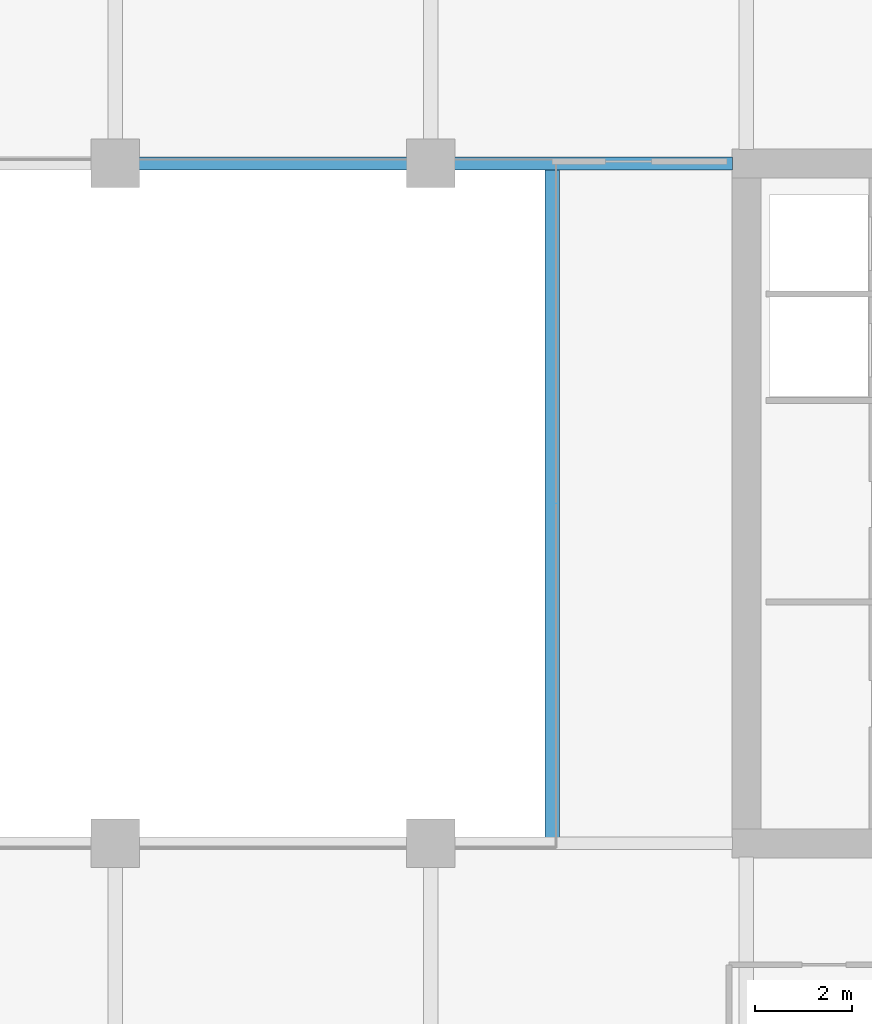
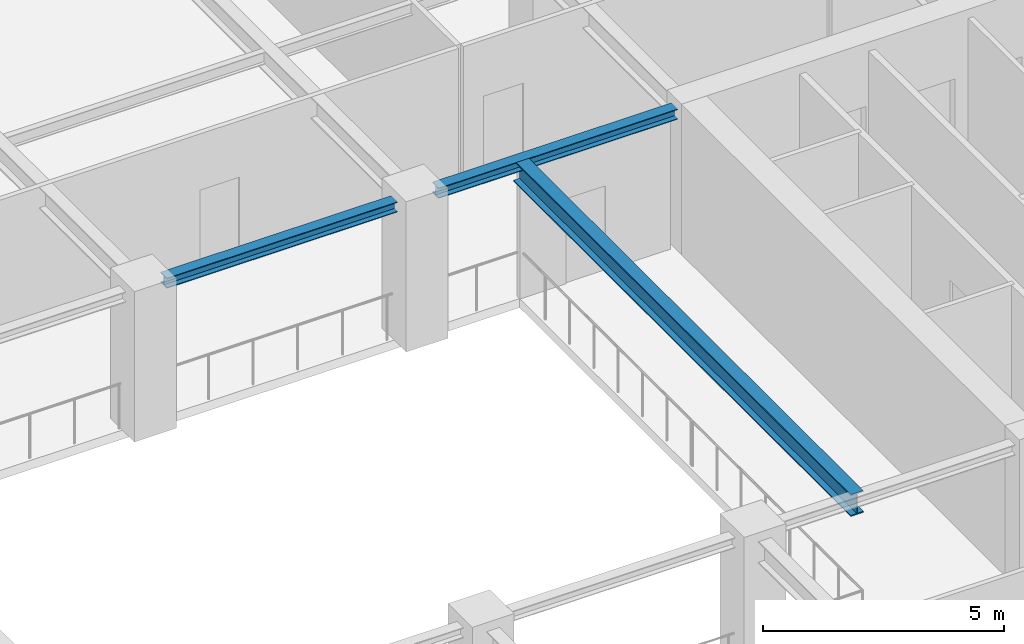
# One storey, part 7 of 22: 3 beams.
"""IFC4 building model written with IfcOpenShell, lengths in metres."""

from ifc_helpers import new_model, si_unit, direction, frame, origin, origin_2d, place, context, subcontext, project, spatial, i_section, extrude, material, material_profile, profile_set, type_object, element, save


model = new_model("IFC4")

# Units and contexts
model_context = context("Model", 3, precision=1e-05, world=origin(), true_north=direction((0.0, 1.0)))
body_context = subcontext(model_context, "Body", "Model", "MODEL_VIEW")
ifc_project = project(units=[si_unit("LENGTHUNIT", "METRE"), si_unit("AREAUNIT", "SQUARE_METRE"), si_unit("VOLUMEUNIT", "CUBIC_METRE"), si_unit("PLANEANGLEUNIT", "RADIAN"), si_unit("MASSUNIT", "GRAM", prefix="KILO")], contexts=[model_context])

# Site, building, storey
site_placement = place(None, origin())
site = spatial("IfcSite", under=ifc_project, at=site_placement, CompositionType="ELEMENT")
building_placement = place(site_placement, origin())
building = spatial("IfcBuilding", under=site, at=building_placement, Name="Putna Gate Headquarters", CompositionType="ELEMENT")
storey_placement = place(building_placement, frame((0.0, 0.0, 174.60009765625)))
storey = spatial("IfcBuildingStorey", under=building, at=storey_placement, Name="L43", CompositionType="ELEMENT", Elevation=174.60009765625)

# Beams
ifc_material = material(Name="Steel S355J2", Category="steel")
ifc_material_profile_1 = material_profile(ifc_material, i_section(OverallWidth=0.260009765625, OverallDepth=0.260009765625, WebThickness=0.010009765625, FlangeThickness=0.017578125, at=origin_2d()), Name="Steel S355J2")
ifc_profile_set_1 = profile_set([ifc_material_profile_1], Name="Steel S355J2")
beam_type_1 = type_object("IfcBeamType", Name="BM-ATRIUM-HEB260", PredefinedType="BEAM", material=ifc_profile_set_1)
beam_1_placement = place(storey_placement, frame((39.488037109375, 33.0, 3.44189453125), z_axis=(1.0, 0.0, 0.0), x_axis=(0.0, 1.0, 0.0)))
element("IfcBeam", 1, at=beam_1_placement, inside=storey, type_object=beam_type_1, Name="L43 Atrium Edge Beam AN3", PredefinedType="BEAM", context=body_context, shape_type="SweptSolid", body=[
    extrude(i_section(OverallWidth=0.260009765625, OverallDepth=0.260009765625, WebThickness=0.010009765625, FlangeThickness=0.017578125, at=origin_2d()), origin(), (0.0, 0.0, 1.0), 5.52392578125),
])
beam_2_placement = place(storey_placement, frame((45.988037109375, 33.0, 3.44189453125), z_axis=(1.0, 0.0, 0.0), x_axis=(0.0, 1.0, 0.0)))
element("IfcBeam", 2, at=beam_2_placement, inside=storey, type_object=beam_type_1, Name="L43 Atrium Edge Beam AN4", PredefinedType="BEAM", context=body_context, shape_type="SweptSolid", body=[
    extrude(i_section(OverallWidth=0.260009765625, OverallDepth=0.260009765625, WebThickness=0.010009765625, FlangeThickness=0.017578125, at=origin_2d()), origin(), (0.0, 0.0, 1.0), 5.72705078125),
])
ifc_material_profile_2 = material_profile(ifc_material, i_section(OverallWidth=0.300048828125, OverallDepth=0.550048828125, WebThickness=0.014892578125, FlangeThickness=0.029052734375, at=origin_2d()), Name="Steel S355J2")
ifc_profile_set_2 = profile_set([ifc_material_profile_2], Name="Steel S355J2")
beam_type_2 = type_object("IfcBeamType", Name="BM-GIRD-Z3-HEB550", PredefinedType="USERDEFINED", material=ifc_profile_set_2)
beam_3_placement = place(storey_placement, frame((48.0, 19.010009765625, 3.296875), z_axis=(0.0, 1.0, 0.0), x_axis=(-1.0, 0.0, 0.0)))
element("IfcBeam", 3, at=beam_3_placement, inside=storey, type_object=beam_type_2, Name="L43 Atrium Trim Girder AE", ObjectType="GIRDER", PredefinedType="USERDEFINED", context=body_context, shape_type="SweptSolid", body=[
    extrude(i_section(OverallWidth=0.300048828125, OverallDepth=0.550048828125, WebThickness=0.014892578125, FlangeThickness=0.029052734375, at=origin_2d()), origin(), (0.0, 0.0, 1.0), 13.97998046875),
])

save(model, "model.ifc")
